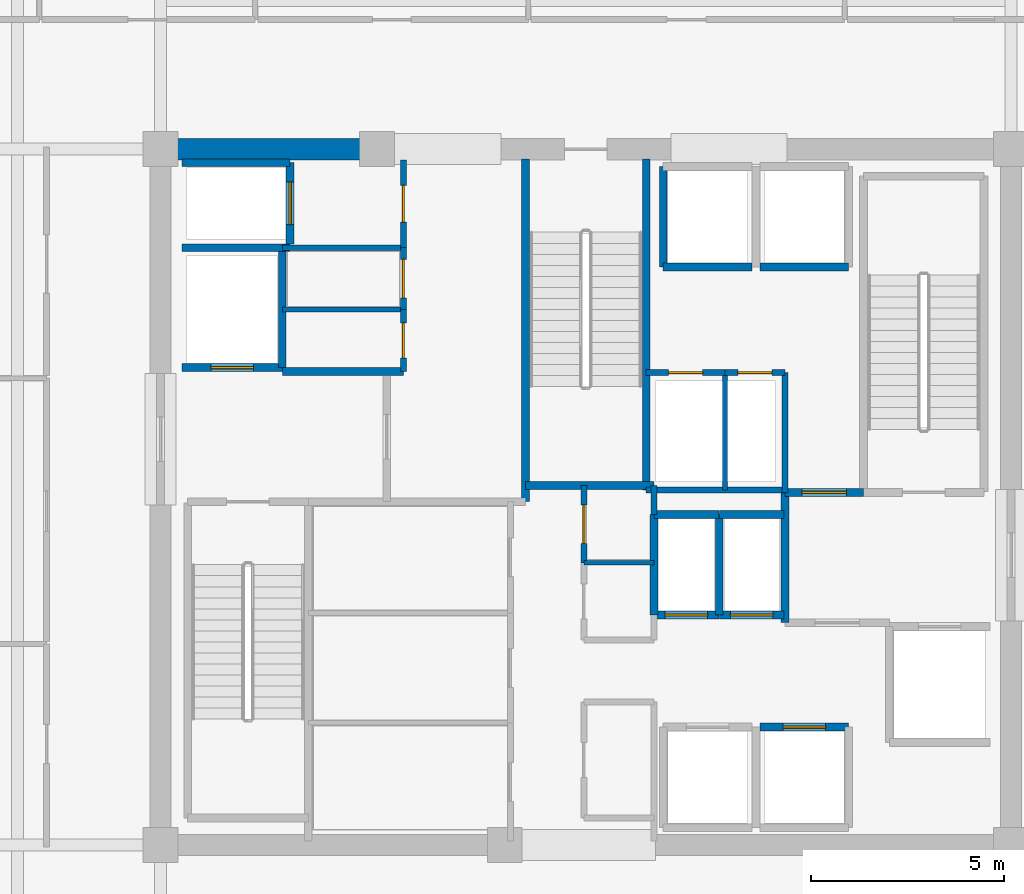
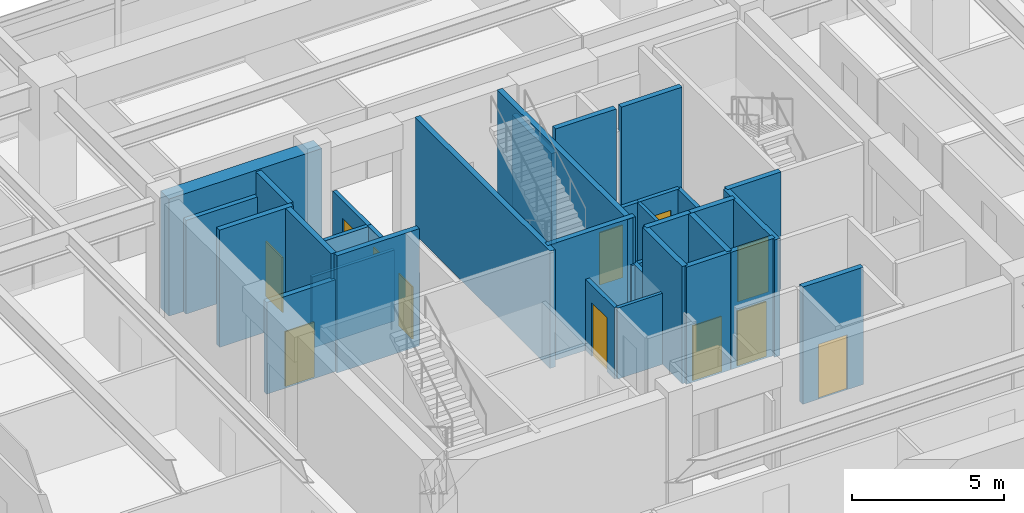
# One storey, part 13 of 19: 35 walls, 12 doors, 12 openings.
"""IFC4 building model written with IfcOpenShell, lengths in metres."""

from ifc_helpers import new_model, si_unit, direction, frame, frame_2d, origin, place, context, subcontext, project, spatial, rectangle, extrude, material, layer, layer_set, type_object, element, fill, save


model = new_model("IFC4")

# Units and contexts
model_context = context("Model", 3, precision=1e-05, world=origin(), true_north=direction((0.0, 1.0)))
body_context = subcontext(model_context, "Body", "Model", "MODEL_VIEW")
ifc_project = project(units=[si_unit("LENGTHUNIT", "METRE"), si_unit("AREAUNIT", "SQUARE_METRE"), si_unit("VOLUMEUNIT", "CUBIC_METRE"), si_unit("PLANEANGLEUNIT", "RADIAN"), si_unit("MASSUNIT", "GRAM", prefix="KILO")], contexts=[model_context])

# Site, building, storey
site_placement = place(None, origin())
site = spatial("IfcSite", under=ifc_project, at=site_placement, CompositionType="ELEMENT")
building_placement = place(site_placement, origin())
building = spatial("IfcBuilding", under=site, at=building_placement, Name="Kovane Verandah Tower", CompositionType="ELEMENT")
storey_placement = place(building_placement, frame((0.0, 0.0, 184.39990234375)))
storey = spatial("IfcBuildingStorey", under=building, at=storey_placement, Name="L43", CompositionType="ELEMENT", Elevation=184.39990234375)

# Wall
ifc_material_1 = material(Name="Fire-Rated Gypsum Stud Partition", Category="gypsum")
ifc_layer_1 = layer(ifc_material_1, 0.14990234375)
ifc_layer_set_1 = layer_set([ifc_layer_1], Name="Fire-Rated Gypsum Stud Partition")
wall_type_1 = type_object("IfcWallType", Name="WL-COR-150", PredefinedType="PARTITIONING", material=ifc_layer_set_1)
wall_1_placement = place(storey_placement, frame((41.760009765625, 27.050048828125, 0.0), z_axis=(0.0, 0.0, 1.0), x_axis=(0.0, 1.0, 0.0)))
element("IfcWall", 1, at=wall_1_placement, inside=storey, type_object=wall_type_1, Name="L43 Central Core Strip Upper East Wall", PredefinedType="PARTITIONING", context=body_context, shape_type="SweptSolid", body=[
    extrude(rectangle(XDim=0.75, YDim=0.14990234375, at=frame_2d((0.375, 0.0))), origin(), (0.0, 0.0, 1.0), 2.85009765625),
])

# Wall, opening, door
wall_2_placement = place(storey_placement, frame((39.949951171875, 25.800048828125, 0.0), z_axis=(0.0, 0.0, 1.0), x_axis=(0.0, 1.0, 0.0)))
wall_2 = element("IfcWall", 2, at=wall_2_placement, inside=storey, type_object=wall_type_1, Name="L43 Central First Aid and Wellness Room Partition", PredefinedType="PARTITIONING", context=body_context, shape_type="SweptSolid", body=[
    extrude(rectangle(XDim=2.0, YDim=0.14990234375, at=frame_2d((1.0, 0.0))), origin(), (0.0, 0.0, 1.0), 2.85009765625),
])
opening_1_placement = place(wall_2_placement, frame((0.5, 0.0, 0.0)))
opening_1 = element("IfcOpeningElement", 3, at=opening_1_placement, cuts=wall_2, Name="Opening DR-L43-033", PredefinedType="OPENING", context=body_context, shape_type="SweptSolid", body=[
    extrude(rectangle(XDim=1.0, YDim=2.14990234375, at=frame_2d((0.5, 1.074951171875))), frame((0.0, 0.074951171875, 0.0), z_axis=(0.0, -1.0, 0.0), x_axis=(1.0, 0.0, 0.0)), (0.0, 0.0, 1.0), 0.14990234375),
])
ifc_material_2 = material(Name="FSC Spotted-Gum Timber Fire-Rated Office Door", Category="wood")
door_type_1 = type_object("IfcDoorType", Name="DR-OFF-1000", OperationType="SINGLE_SWING_LEFT", PredefinedType="DOOR", material=ifc_material_2)
door_1_placement = place(opening_1_placement, origin())
door_1 = element("IfcDoor", 4, at=door_1_placement, inside=storey, type_object=door_type_1, Name="L43 Central First Aid and Wellness Room Door", OperationType="SINGLE_SWING_RIGHT", OverallHeight=2.14990234375, OverallWidth=1.0, PredefinedType="DOOR", context=body_context, shape_type="SweptSolid", body=[
    extrude(rectangle(XDim=1.0, YDim=2.14990234375, at=frame_2d((0.5, 1.074951171875))), frame((0.0, 0.02490234375, 0.0), z_axis=(0.0, -1.0, 0.0), x_axis=(1.0, 0.0, 0.0)), (0.0, 0.0, 1.0), 0.050048828125),
])
fill(opening_1, door_1)

# Wall
wall_3_placement = place(storey_placement, frame((32.14990234375, 33.949951171875, 0.0), z_axis=(0.0, 0.0, 1.0), x_axis=(1.0, 0.0, 0.0)))
element("IfcWall", 5, at=wall_3_placement, inside=storey, type_object=wall_type_1, Name="L43 Goods Lift Lobby South Wall", PredefinedType="PARTITIONING", context=body_context, shape_type="SweptSolid", body=[
    extrude(rectangle(XDim=3.130126953125, YDim=0.14990234375, at=frame_2d((1.56494140625, 0.0))), origin(), (0.0, 0.0, 1.0), 2.85009765625),
])

# Wall, opening, door
wall_4_placement = place(storey_placement, frame((35.280029296875, 33.949951171875, 0.0), z_axis=(0.0, 0.0, 1.0), x_axis=(0.0, 1.0, 0.0)))
wall_4 = element("IfcWall", 6, at=wall_4_placement, inside=storey, type_object=wall_type_1, Name="L43 Goods Lift Lobby East Fire Partition", PredefinedType="PARTITIONING", context=body_context, shape_type="SweptSolid", body=[
    extrude(rectangle(XDim=2.27001953125, YDim=0.14990234375, at=frame_2d((1.135009765625, 0.0))), origin(), (0.0, 0.0, 1.0), 2.85009765625),
])
opening_2_placement = place(wall_4_placement, frame((0.659912109375, 0.0, 0.0)))
opening_2 = element("IfcOpeningElement", 7, at=opening_2_placement, cuts=wall_4, Name="Opening DR-L43-008", PredefinedType="OPENING", context=body_context, shape_type="SweptSolid", body=[
    extrude(rectangle(XDim=0.949951171875, YDim=2.14990234375, at=frame_2d((0.47509765625, 1.074951171875))), frame((0.0, 0.074951171875, 0.0), z_axis=(0.0, -1.0, 0.0), x_axis=(1.0, 0.0, 0.0)), (0.0, 0.0, 1.0), 0.14990234375),
])
ifc_material_3 = material(Name="Fire-Rated Steel Refuge and Lobby Door", Category="steel")
door_type_2 = type_object("IfcDoorType", Name="DR-FIRE-950", OperationType="SINGLE_SWING_LEFT", PredefinedType="DOOR", material=ifc_material_3)
door_2_placement = place(opening_2_placement, origin())
door_2 = element("IfcDoor", 8, at=door_2_placement, inside=storey, type_object=door_type_2, Name="L43 Goods Lift Lobby Fire Door", OperationType="SINGLE_SWING_LEFT", OverallHeight=2.14990234375, OverallWidth=0.949951171875, PredefinedType="DOOR", context=body_context, shape_type="SweptSolid", body=[
    extrude(rectangle(XDim=0.949951171875, YDim=2.14990234375, at=frame_2d((0.47509765625, 1.074951171875))), frame((0.0, 0.02490234375, 0.0), z_axis=(0.0, -1.0, 0.0), x_axis=(1.0, 0.0, 0.0)), (0.0, 0.0, 1.0), 0.050048828125),
])
fill(opening_2, door_2)

wall_5_placement = place(storey_placement, frame((35.280029296875, 30.75, 0.0), z_axis=(0.0, 0.0, 1.0), x_axis=(0.0, 1.0, 0.0)))
wall_5 = element("IfcWall", 9, at=wall_5_placement, inside=storey, type_object=wall_type_1, Name="L43 Accessible Unisex Toilet Partition", PredefinedType="PARTITIONING", context=body_context, shape_type="SweptSolid", body=[
    extrude(rectangle(XDim=1.60009765625, YDim=0.14990234375, at=frame_2d((0.800048828125, 0.0))), origin(), (0.0, 0.0, 1.0), 2.85009765625),
])
opening_3_placement = place(wall_5_placement, frame((0.35009765625, 0.0, 0.0)))
opening_3 = element("IfcOpeningElement", 10, at=opening_3_placement, cuts=wall_5, Name="Opening DR-L43-034", PredefinedType="OPENING", context=body_context, shape_type="SweptSolid", body=[
    extrude(rectangle(XDim=0.89990234375, YDim=2.10009765625, at=frame_2d((0.449951171875, 1.050048828125))), frame((0.0, 0.074951171875, 0.0), z_axis=(0.0, -1.0, 0.0), x_axis=(1.0, 0.0, 0.0)), (0.0, 0.0, 1.0), 0.14990234375),
])
ifc_material_4 = material(Name="Moisture-Resistant Laminate Washroom Door", Category="wood")
door_type_3 = type_object("IfcDoorType", Name="DR-WC-900", OperationType="SINGLE_SWING_LEFT", PredefinedType="DOOR", material=ifc_material_4)
door_3_placement = place(opening_3_placement, origin())
door_3 = element("IfcDoor", 11, at=door_3_placement, inside=storey, type_object=door_type_3, Name="L43 Accessible Unisex Toilet Door", OperationType="SINGLE_SWING_RIGHT", OverallHeight=2.10009765625, OverallWidth=0.89990234375, PredefinedType="DOOR", context=body_context, shape_type="SweptSolid", body=[
    extrude(rectangle(XDim=0.89990234375, YDim=2.10009765625, at=frame_2d((0.449951171875, 1.050048828125))), frame((0.0, 0.02490234375, 0.0), z_axis=(0.0, -1.0, 0.0), x_axis=(1.0, 0.0, 0.0)), (0.0, 0.0, 1.0), 0.050048828125),
])
fill(opening_3, door_3)

wall_6_placement = place(storey_placement, frame((35.280029296875, 32.35009765625, 0.0), z_axis=(0.0, 0.0, 1.0), x_axis=(0.0, 1.0, 0.0)))
wall_6 = element("IfcWall", 12, at=wall_6_placement, inside=storey, type_object=wall_type_1, Name="L43 North-West First Aid Room Partition", PredefinedType="PARTITIONING", context=body_context, shape_type="SweptSolid", body=[
    extrude(rectangle(XDim=1.599853515625, YDim=0.14990234375, at=frame_2d((0.7998046875, 0.0))), origin(), (0.0, 0.0, 1.0), 2.85009765625),
])
opening_4_placement = place(wall_6_placement, frame((0.300048828125, 0.0, 0.0)))
opening_4 = element("IfcOpeningElement", 13, at=opening_4_placement, cuts=wall_6, Name="Opening DR-L43-012", PredefinedType="OPENING", context=body_context, shape_type="SweptSolid", body=[
    extrude(rectangle(XDim=1.0, YDim=2.14990234375, at=frame_2d((0.5, 1.074951171875))), frame((0.0, 0.074951171875, 0.0), z_axis=(0.0, -1.0, 0.0), x_axis=(1.0, 0.0, 0.0)), (0.0, 0.0, 1.0), 0.14990234375),
])
door_4_placement = place(opening_4_placement, origin())
door_4 = element("IfcDoor", 14, at=door_4_placement, inside=storey, type_object=door_type_1, Name="L43 North-West First Aid Room Door", OperationType="SINGLE_SWING_LEFT", OverallHeight=2.14990234375, OverallWidth=1.0, PredefinedType="DOOR", context=body_context, shape_type="SweptSolid", body=[
    extrude(rectangle(XDim=1.0, YDim=2.14990234375, at=frame_2d((0.5, 1.074951171875))), frame((0.0, 0.02490234375, 0.0), z_axis=(0.0, -1.0, 0.0), x_axis=(1.0, 0.0, 0.0)), (0.0, 0.0, 1.0), 0.050048828125),
])
fill(opening_4, door_4)

# Walls
wall_7_placement = place(storey_placement, frame((41.56005859375, 27.679931640625, 0.0), z_axis=(0.0, 0.0, 1.0), x_axis=(1.0, 0.0, 0.0)))
element("IfcWall", 15, at=wall_7_placement, inside=storey, type_object=wall_type_1, Name="L43 East Core Service Riser South Wall", PredefinedType="PARTITIONING", context=body_context, shape_type="SweptSolid", body=[
    extrude(rectangle(XDim=3.58984375, YDim=0.14990234375, at=frame_2d((1.794921875, 0.0))), origin(), (0.0, 0.0, 1.0), 2.85009765625),
])
wall_8_placement = place(storey_placement, frame((45.14990234375, 27.6201171875, 0.0), z_axis=(0.0, 0.0, 1.0), x_axis=(0.0, 1.0, 0.0)))
element("IfcWall", 16, at=wall_8_placement, inside=storey, type_object=wall_type_1, Name="L43 East Core Service Riser East Wall", PredefinedType="PARTITIONING", context=body_context, shape_type="SweptSolid", body=[
    extrude(rectangle(XDim=3.099853515625, YDim=0.14990234375, at=frame_2d((1.5498046875, 0.0))), origin(), (0.0, 0.0, 1.0), 2.85009765625),
])

# Wall, opening, door
wall_9_placement = place(storey_placement, frame((41.56005859375, 30.719970703125, 0.0), z_axis=(0.0, 0.0, 1.0), x_axis=(1.0, 0.0, 0.0)))
wall_9 = element("IfcWall", 17, at=wall_9_placement, inside=storey, type_object=wall_type_1, Name="L43 Electrical Sub-Main Riser Room Partition", PredefinedType="PARTITIONING", context=body_context, shape_type="SweptSolid", body=[
    extrude(rectangle(XDim=2.0400390625, YDim=0.14990234375, at=frame_2d((1.02001953125, 0.0))), origin(), (0.0, 0.0, 1.0), 2.85009765625),
])
opening_5_placement = place(wall_9_placement, frame((0.580078125, 0.0, 0.0)))
opening_5 = element("IfcOpeningElement", 18, at=opening_5_placement, cuts=wall_9, Name="Opening DR-L43-020", PredefinedType="OPENING", context=body_context, shape_type="SweptSolid", body=[
    extrude(rectangle(XDim=0.8798828125, YDim=2.10009765625, at=frame_2d((0.43994140625, 1.050048828125))), frame((0.0, 0.074951171875, 0.0), z_axis=(0.0, -1.0, 0.0), x_axis=(1.0, 0.0, 0.0)), (0.0, 0.0, 1.0), 0.14990234375),
])
ifc_material_5 = material(Name="Fire-Rated Steel Riser Access Door", Category="steel")
door_type_4 = type_object("IfcDoorType", Name="DR-RISER-880", OperationType="SINGLE_SWING_LEFT", PredefinedType="DOOR", material=ifc_material_5)
door_5_placement = place(opening_5_placement, origin())
door_5 = element("IfcDoor", 19, at=door_5_placement, inside=storey, type_object=door_type_4, Name="L43 Electrical Sub-Main Riser Room Door", OperationType="SINGLE_SWING_LEFT", OverallHeight=2.10009765625, OverallWidth=0.8798828125, PredefinedType="DOOR", context=body_context, shape_type="SweptSolid", body=[
    extrude(rectangle(XDim=0.8798828125, YDim=2.10009765625, at=frame_2d((0.43994140625, 1.050048828125))), frame((0.0, 0.02490234375, 0.0), z_axis=(0.0, -1.0, 0.0), x_axis=(1.0, 0.0, 0.0)), (0.0, 0.0, 1.0), 0.050048828125),
])
fill(opening_5, door_5)

wall_10_placement = place(storey_placement, frame((43.60009765625, 30.719970703125, 0.0), z_axis=(0.0, 0.0, 1.0), x_axis=(1.0, 0.0, 0.0)))
wall_10 = element("IfcWall", 20, at=wall_10_placement, inside=storey, type_object=wall_type_1, Name="L43 Sprinkler Wet Riser Room Partition", PredefinedType="PARTITIONING", context=body_context, shape_type="SweptSolid", body=[
    extrude(rectangle(XDim=1.5498046875, YDim=0.14990234375, at=frame_2d((0.77490234375, 0.0))), origin(), (0.0, 0.0, 1.0), 2.85009765625),
])
opening_6_placement = place(wall_10_placement, frame((0.3349609375, 0.0, 0.0)))
opening_6 = element("IfcOpeningElement", 21, at=opening_6_placement, cuts=wall_10, Name="Opening DR-L43-021", PredefinedType="OPENING", context=body_context, shape_type="SweptSolid", body=[
    extrude(rectangle(XDim=0.8798828125, YDim=2.10009765625, at=frame_2d((0.43994140625, 1.050048828125))), frame((0.0, 0.074951171875, 0.0), z_axis=(0.0, -1.0, 0.0), x_axis=(1.0, 0.0, 0.0)), (0.0, 0.0, 1.0), 0.14990234375),
])
door_6_placement = place(opening_6_placement, origin())
door_6 = element("IfcDoor", 22, at=door_6_placement, inside=storey, type_object=door_type_4, Name="L43 Sprinkler Wet Riser Room Door", OperationType="SINGLE_SWING_RIGHT", OverallHeight=2.10009765625, OverallWidth=0.8798828125, PredefinedType="DOOR", context=body_context, shape_type="SweptSolid", body=[
    extrude(rectangle(XDim=0.8798828125, YDim=2.10009765625, at=frame_2d((0.43994140625, 1.050048828125))), frame((0.0, 0.02490234375, 0.0), z_axis=(0.0, -1.0, 0.0), x_axis=(1.0, 0.0, 0.0)), (0.0, 0.0, 1.0), 0.050048828125),
])
fill(opening_6, door_6)

# Walls
ifc_material_6 = material(Name="Concrete C60/75", Category="concrete")
ifc_layer_2 = layer(ifc_material_6, 0.550048828125)
ifc_layer_set_2 = layer_set([ifc_layer_2], Name="Concrete C60/75")
wall_type_2 = type_object("IfcWallType", Name="WL-CORE-550", PredefinedType="SHEAR", material=ifc_layer_set_2)
wall_11_placement = place(storey_placement, frame((29.0, 36.5, 0.0), z_axis=(0.0, 0.0, 1.0), x_axis=(1.0, 0.0, 0.0)))
element("IfcWall", 23, at=wall_11_placement, inside=storey, type_object=wall_type_2, Name="L43 Core Shear Wall CN-1", PredefinedType="SHEAR", context=body_context, shape_type="SweptSolid", body=[
    extrude(rectangle(XDim=5.800048828125, YDim=0.550048828125, at=frame_2d((2.89990234375, 0.0))), origin(), (0.0, 0.0, 1.0), 4.7001953125),
])
ifc_material_7 = material(Name="Concrete C45/55 Fire Wall", Category="concrete")
ifc_layer_3 = layer(ifc_material_7, 0.199951171875)
ifc_layer_set_3 = layer_set([ifc_layer_3], Name="Concrete C45/55 Fire Wall")
wall_type_3 = type_object("IfcWallType", Name="WL-FFL-200", PredefinedType="PARTITIONING", material=ifc_layer_set_3)
wall_12_placement = place(storey_placement, frame((32.14990234375, 30.75, 0.0), z_axis=(0.0, 0.0, 1.0), x_axis=(1.0, 0.0, 0.0)))
element("IfcWall", 24, at=wall_12_placement, inside=storey, type_object=wall_type_3, Name="L43 West Firefighting Lobby North Fire Wall", PredefinedType="PARTITIONING", context=body_context, shape_type="SweptSolid", body=[
    extrude(rectangle(XDim=3.130126953125, YDim=0.199951171875, at=frame_2d((1.56494140625, 0.0))), origin(), (0.0, 0.0, 1.0), 4.7001953125),
])
wall_13_placement = place(storey_placement, frame((45.14990234375, 24.25, 0.0), z_axis=(0.0, 0.0, 1.0), x_axis=(0.0, 1.0, 0.0)))
element("IfcWall", 25, at=wall_13_placement, inside=storey, type_object=wall_type_3, Name="L43 East Firefighting Lobby West Fire Wall", PredefinedType="PARTITIONING", context=body_context, shape_type="SweptSolid", body=[
    extrude(rectangle(XDim=3.3701171875, YDim=0.199951171875, at=frame_2d((1.68505859375, 0.0))), origin(), (0.0, 0.0, 1.0), 4.7001953125),
])

# Wall, opening, door
wall_14_placement = place(storey_placement, frame((45.14990234375, 27.6201171875, 0.0), z_axis=(0.0, 0.0, 1.0), x_axis=(1.0, 0.0, 0.0)))
wall_14 = element("IfcWall", 26, at=wall_14_placement, inside=storey, type_object=wall_type_3, Name="W-L43-FFLE-N", PredefinedType="PARTITIONING", context=body_context, shape_type="SweptSolid", body=[
    extrude(rectangle(XDim=2.030029296875, YDim=0.199951171875, at=frame_2d((1.01513671875, 0.0))), origin(), (0.0, 0.0, 1.0), 4.7001953125),
])
opening_7_placement = place(wall_14_placement, frame((0.43994140625, 0.0, 0.0)))
opening_7 = element("IfcOpeningElement", 27, at=opening_7_placement, cuts=wall_14, Name="Opening DR-L43-004", PredefinedType="OPENING", context=body_context, shape_type="SweptSolid", body=[
    extrude(rectangle(XDim=1.14990234375, YDim=2.199951171875, at=frame_2d((0.574951171875, 1.10009765625))), frame((0.0, 0.10009765625, 0.0), z_axis=(0.0, -1.0, 0.0), x_axis=(1.0, 0.0, 0.0)), (0.0, 0.0, 1.0), 0.199951171875),
])
ifc_material_8 = material(Name="Smoke-Sealed Firefighting Lobby Door", Category="steel")
door_type_5 = type_object("IfcDoorType", Name="DR-FFL-1150", OperationType="SINGLE_SWING_LEFT", PredefinedType="DOOR", material=ifc_material_8)
door_7_placement = place(opening_7_placement, origin())
door_7 = element("IfcDoor", 28, at=door_7_placement, inside=storey, type_object=door_type_5, Name="L43 East Firefighting Lobby Shuttle Link Door", OperationType="SINGLE_SWING_LEFT", OverallHeight=2.199951171875, OverallWidth=1.14990234375, PredefinedType="DOOR", context=body_context, shape_type="SweptSolid", body=[
    extrude(rectangle(XDim=1.14990234375, YDim=2.199951171875, at=frame_2d((0.574951171875, 1.10009765625))), frame((0.0, 0.02490234375, 0.0), z_axis=(0.0, -1.0, 0.0), x_axis=(1.0, 0.0, 0.0)), (0.0, 0.0, 1.0), 0.050048828125),
])
fill(opening_7, door_7)

ifc_material_9 = material(Name="Concrete C45/55 Lift Shaft Wall", Category="concrete")
ifc_layer_4 = layer(ifc_material_9, 0.199951171875)
ifc_layer_set_4 = layer_set([ifc_layer_4], Name="Concrete C45/55 Lift Shaft Wall")
wall_type_4 = type_object("IfcWallType", Name="WL-LIFT-200", PredefinedType="SOLIDWALL", material=ifc_layer_set_4)
wall_15_placement = place(storey_placement, frame((29.550048828125, 30.85009765625, 0.0), z_axis=(0.0, 0.0, 1.0), x_axis=(1.0, 0.0, 0.0)))
wall_15 = element("IfcWall", 29, at=wall_15_placement, inside=storey, type_object=wall_type_4, Name="L43 Lift FL-01 S Shaft Wall", PredefinedType="SOLIDWALL", context=body_context, shape_type="SweptSolid", body=[
    extrude(rectangle(XDim=2.599853515625, YDim=0.199951171875, at=frame_2d((1.2998046875, 0.0))), origin(), (0.0, 0.0, 1.0), 3.68017578125),
])
opening_8_placement = place(wall_15_placement, frame((0.75, 0.0, 0.0)))
opening_8 = element("IfcOpeningElement", 30, at=opening_8_placement, cuts=wall_15, Name="Opening LD-L43-001", PredefinedType="OPENING", context=body_context, shape_type="SweptSolid", body=[
    extrude(rectangle(XDim=1.10009765625, YDim=2.199951171875, at=frame_2d((0.550048828125, 1.10009765625))), frame((0.0, 0.10009765625, 0.0), z_axis=(0.0, -1.0, 0.0), x_axis=(1.0, 0.0, 0.0)), (0.0, 0.0, 1.0), 0.199951171875),
])
ifc_material_10 = material(Name="Brushed Stainless Steel Sliding Lift Landing Door", Category="steel")
door_type_6 = type_object("IfcDoorType", Name="DR-LIFT-1100", OperationType="SLIDING_TO_RIGHT", PredefinedType="DOOR", material=ifc_material_10)
door_8_placement = place(opening_8_placement, origin())
door_8 = element("IfcDoor", 31, at=door_8_placement, inside=storey, type_object=door_type_6, Name="L43 Lift FL-01 Sliding Landing Door", OperationType="SLIDING_TO_RIGHT", OverallHeight=2.199951171875, OverallWidth=1.10009765625, PredefinedType="DOOR", context=body_context, shape_type="SweptSolid", body=[
    extrude(rectangle(XDim=1.10009765625, YDim=2.199951171875, at=frame_2d((0.550048828125, 1.10009765625))), frame((0.0, 0.02490234375, 0.0), z_axis=(0.0, -1.0, 0.0), x_axis=(1.0, 0.0, 0.0)), (0.0, 0.0, 1.0), 0.050048828125),
])
fill(opening_8, door_8)

# Walls
wall_16_placement = place(storey_placement, frame((29.550048828125, 33.949951171875, 0.0), z_axis=(0.0, 0.0, 1.0), x_axis=(1.0, 0.0, 0.0)))
element("IfcWall", 32, at=wall_16_placement, inside=storey, type_object=wall_type_4, Name="L43 Lift FL-01 and GL-01 Shared Shaft Wall", PredefinedType="SOLIDWALL", context=body_context, shape_type="SweptSolid", body=[
    extrude(rectangle(XDim=2.800048828125, YDim=0.199951171875, at=frame_2d((1.39990234375, 0.0))), origin(), (0.0, 0.0, 1.0), 4.7001953125),
])
wall_17_placement = place(storey_placement, frame((32.14990234375, 30.85009765625, 0.0), z_axis=(0.0, 0.0, 1.0), x_axis=(0.0, 1.0, 0.0)))
element("IfcWall", 33, at=wall_17_placement, inside=storey, type_object=wall_type_4, Name="L43 Lift FL-01 E Shaft Wall", PredefinedType="SOLIDWALL", context=body_context, shape_type="SweptSolid", body=[
    extrude(rectangle(XDim=3.0, YDim=0.199951171875, at=frame_2d((1.5, 0.0))), origin(), (0.0, 0.0, 1.0), 4.7001953125),
])
wall_18_placement = place(storey_placement, frame((32.35009765625, 36.14990234375, 0.0), z_axis=(0.0, 0.0, 1.0), x_axis=(-1.0, 0.0, 0.0)))
element("IfcWall", 34, at=wall_18_placement, inside=storey, type_object=wall_type_4, Name="L43 Lift GL-01 N Shaft Wall", PredefinedType="SOLIDWALL", context=body_context, shape_type="SweptSolid", body=[
    extrude(rectangle(XDim=2.800048828125, YDim=0.199951171875, at=frame_2d((1.39990234375, 0.0))), origin(), (0.0, 0.0, 1.0), 3.75341796875),
])

# Wall, opening, door
wall_19_placement = place(storey_placement, frame((32.35009765625, 34.050048828125, 0.0), z_axis=(0.0, 0.0, 1.0), x_axis=(0.0, 1.0, 0.0)))
wall_19 = element("IfcWall", 35, at=wall_19_placement, inside=storey, type_object=wall_type_4, Name="L43 Lift GL-01 E Shaft Wall", PredefinedType="SOLIDWALL", context=body_context, shape_type="SweptSolid", body=[
    extrude(rectangle(XDim=2.099853515625, YDim=0.199951171875, at=frame_2d((1.0498046875, 0.0))), origin(), (0.0, 0.0, 1.0), 4.7001953125),
])
opening_9_placement = place(wall_19_placement, frame((0.5, 0.0, 0.0)))
opening_9 = element("IfcOpeningElement", 36, at=opening_9_placement, cuts=wall_19, Name="Opening LD-L43-003", PredefinedType="OPENING", context=body_context, shape_type="SweptSolid", body=[
    extrude(rectangle(XDim=1.10009765625, YDim=2.199951171875, at=frame_2d((0.550048828125, 1.10009765625))), frame((0.0, 0.10009765625, 0.0), z_axis=(0.0, -1.0, 0.0), x_axis=(1.0, 0.0, 0.0)), (0.0, 0.0, 1.0), 0.199951171875),
])
door_9_placement = place(opening_9_placement, origin())
door_9 = element("IfcDoor", 37, at=door_9_placement, inside=storey, type_object=door_type_6, Name="L43 Lift GL-01 Sliding Landing Door", OperationType="SLIDING_TO_RIGHT", OverallHeight=2.199951171875, OverallWidth=1.10009765625, PredefinedType="DOOR", context=body_context, shape_type="SweptSolid", body=[
    extrude(rectangle(XDim=1.10009765625, YDim=2.199951171875, at=frame_2d((0.550048828125, 1.10009765625))), frame((0.0, 0.02490234375, 0.0), z_axis=(0.0, -1.0, 0.0), x_axis=(1.0, 0.0, 0.0)), (0.0, 0.0, 1.0), 0.050048828125),
])
fill(opening_9, door_9)

wall_20_placement = place(storey_placement, frame((46.800048828125, 21.550048828125, 0.0), z_axis=(0.0, 0.0, 1.0), x_axis=(-1.0, 0.0, 0.0)))
wall_20 = element("IfcWall", 38, at=wall_20_placement, inside=storey, type_object=wall_type_4, Name="L43 Lift PL-M2 N Shaft Wall", PredefinedType="SOLIDWALL", context=body_context, shape_type="SweptSolid", body=[
    extrude(rectangle(XDim=2.300048828125, YDim=0.199951171875, at=frame_2d((1.14990234375, 0.0))), origin(), (0.0, 0.0, 1.0), 4.7001953125),
])
opening_10_placement = place(wall_20_placement, frame((0.60009765625, 0.0, 0.0)))
opening_10 = element("IfcOpeningElement", 39, at=opening_10_placement, cuts=wall_20, Name="Opening LD-L43-005", PredefinedType="OPENING", context=body_context, shape_type="SweptSolid", body=[
    extrude(rectangle(XDim=1.10009765625, YDim=2.199951171875, at=frame_2d((0.550048828125, 1.10009765625))), frame((0.0, 0.10009765625, 0.0), z_axis=(0.0, -1.0, 0.0), x_axis=(1.0, 0.0, 0.0)), (0.0, 0.0, 1.0), 0.199951171875),
])
door_10_placement = place(opening_10_placement, origin())
door_10 = element("IfcDoor", 40, at=door_10_placement, inside=storey, type_object=door_type_6, Name="L43 Lift PL-M2 Sliding Landing Door", OperationType="SLIDING_TO_RIGHT", OverallHeight=2.199951171875, OverallWidth=1.10009765625, PredefinedType="DOOR", context=body_context, shape_type="SweptSolid", body=[
    extrude(rectangle(XDim=1.10009765625, YDim=2.199951171875, at=frame_2d((0.550048828125, 1.10009765625))), frame((0.0, 0.02490234375, 0.0), z_axis=(0.0, -1.0, 0.0), x_axis=(1.0, 0.0, 0.0)), (0.0, 0.0, 1.0), 0.050048828125),
])
fill(opening_10, door_10)

wall_21_placement = place(storey_placement, frame((41.760009765625, 24.449951171875, 0.0), z_axis=(0.0, 0.0, 1.0), x_axis=(1.0, 0.0, 0.0)))
wall_21 = element("IfcWall", 41, at=wall_21_placement, inside=storey, type_object=wall_type_4, Name="L43 Lift PL-M3 S Shaft Wall", PredefinedType="SOLIDWALL", context=body_context, shape_type="SweptSolid", body=[
    extrude(rectangle(XDim=1.679931640625, YDim=0.199951171875, at=frame_2d((0.83984375, 0.0))), origin(), (0.0, 0.0, 1.0), 4.7001953125),
])
opening_11_placement = place(wall_21_placement, frame((0.2900390625, 0.0, 0.0)))
opening_11 = element("IfcOpeningElement", 42, at=opening_11_placement, cuts=wall_21, Name="Opening LD-L43-006", PredefinedType="OPENING", context=body_context, shape_type="SweptSolid", body=[
    extrude(rectangle(XDim=1.10009765625, YDim=2.199951171875, at=frame_2d((0.550048828125, 1.10009765625))), frame((0.0, 0.10009765625, 0.0), z_axis=(0.0, -1.0, 0.0), x_axis=(1.0, 0.0, 0.0)), (0.0, 0.0, 1.0), 0.199951171875),
])
door_11_placement = place(opening_11_placement, origin())
door_11 = element("IfcDoor", 43, at=door_11_placement, inside=storey, type_object=door_type_6, Name="L43 Lift PL-M3 Sliding Landing Door", OperationType="SLIDING_TO_RIGHT", OverallHeight=2.199951171875, OverallWidth=1.10009765625, PredefinedType="DOOR", context=body_context, shape_type="SweptSolid", body=[
    extrude(rectangle(XDim=1.10009765625, YDim=2.199951171875, at=frame_2d((0.550048828125, 1.10009765625))), frame((0.0, 0.02490234375, 0.0), z_axis=(0.0, -1.0, 0.0), x_axis=(1.0, 0.0, 0.0)), (0.0, 0.0, 1.0), 0.050048828125),
])
fill(opening_11, door_11)

# Walls
wall_22_placement = place(storey_placement, frame((43.43994140625, 27.050048828125, 0.0), z_axis=(0.0, 0.0, 1.0), x_axis=(-1.0, 0.0, 0.0)))
element("IfcWall", 44, at=wall_22_placement, inside=storey, type_object=wall_type_4, Name="L43 Lift PL-M3 N Shaft Wall", PredefinedType="SOLIDWALL", context=body_context, shape_type="SweptSolid", body=[
    extrude(rectangle(XDim=1.679931640625, YDim=0.199951171875, at=frame_2d((0.83984375, 0.0))), origin(), (0.0, 0.0, 1.0), 4.7001953125),
])
for number, where, z_axis, x_axis, name in (
    (45, (41.760009765625, 27.050048828125, 0.0), (0.0, 0.0, 1.0), (0.0, -1.0, 0.0), "L43 Lift PL-M3 W Shaft Wall"),
    (46, (43.449951171875, 24.449951171875, 0.0), (0.0, 0.0, 1.0), (0.0, 1.0, 0.0), "L43 Lift PL-M3 and PL-M4 Shared Shaft Wall"),
):
    element("IfcWall", number, at=place(storey_placement, frame(where, z_axis=z_axis, x_axis=x_axis)), inside=storey, type_object=wall_type_4, Name=name, PredefinedType="SOLIDWALL", context=body_context, shape_type="SweptSolid", body=[
        extrude(rectangle(XDim=2.60009765625, YDim=0.199951171875, at=frame_2d((1.300048828125, 0.0))), origin(), (0.0, 0.0, 1.0), 4.7001953125),
    ])

# Wall, opening, door
wall_23_placement = place(storey_placement, frame((43.4599609375, 24.449951171875, 0.0), z_axis=(0.0, 0.0, 1.0), x_axis=(1.0, 0.0, 0.0)))
wall_23 = element("IfcWall", 47, at=wall_23_placement, inside=storey, type_object=wall_type_4, Name="L43 Lift PL-M4 S Shaft Wall", PredefinedType="SOLIDWALL", context=body_context, shape_type="SweptSolid", body=[
    extrude(rectangle(XDim=1.66015625, YDim=0.199951171875, at=frame_2d((0.830078125, 0.0))), origin(), (0.0, 0.0, 1.0), 4.7001953125),
])
opening_12_placement = place(wall_23_placement, frame((0.280029296875, 0.0, 0.0)))
opening_12 = element("IfcOpeningElement", 48, at=opening_12_placement, cuts=wall_23, Name="Opening LD-L43-007", PredefinedType="OPENING", context=body_context, shape_type="SweptSolid", body=[
    extrude(rectangle(XDim=1.10009765625, YDim=2.199951171875, at=frame_2d((0.550048828125, 1.10009765625))), frame((0.0, 0.10009765625, 0.0), z_axis=(0.0, -1.0, 0.0), x_axis=(1.0, 0.0, 0.0)), (0.0, 0.0, 1.0), 0.199951171875),
])
door_12_placement = place(opening_12_placement, origin())
door_12 = element("IfcDoor", 49, at=door_12_placement, inside=storey, type_object=door_type_6, Name="L43 Lift PL-M4 Sliding Landing Door", OperationType="SLIDING_TO_RIGHT", OverallHeight=2.199951171875, OverallWidth=1.10009765625, PredefinedType="DOOR", context=body_context, shape_type="SweptSolid", body=[
    extrude(rectangle(XDim=1.10009765625, YDim=2.199951171875, at=frame_2d((0.550048828125, 1.10009765625))), frame((0.0, 0.02490234375, 0.0), z_axis=(0.0, -1.0, 0.0), x_axis=(1.0, 0.0, 0.0)), (0.0, 0.0, 1.0), 0.050048828125),
])
fill(opening_12, door_12)

# Walls
wall_24_placement = place(storey_placement, frame((45.1201171875, 27.050048828125, 0.0), z_axis=(0.0, 0.0, 1.0), x_axis=(-1.0, 0.0, 0.0)))
element("IfcWall", 50, at=wall_24_placement, inside=storey, type_object=wall_type_4, Name="L43 Lift PL-M4 N Shaft Wall", PredefinedType="SOLIDWALL", context=body_context, shape_type="SweptSolid", body=[
    extrude(rectangle(XDim=1.66015625, YDim=0.199951171875, at=frame_2d((0.830078125, 0.0))), origin(), (0.0, 0.0, 1.0), 4.7001953125),
])
wall_25_placement = place(storey_placement, frame((42.0, 33.449951171875, 0.0), z_axis=(0.0, 0.0, 1.0), x_axis=(1.0, 0.0, 0.0)))
element("IfcWall", 51, at=wall_25_placement, inside=storey, type_object=wall_type_4, Name="L43 Lift SL-01 S Shaft Wall", PredefinedType="SOLIDWALL", context=body_context, shape_type="SweptSolid", body=[
    extrude(rectangle(XDim=2.300048828125, YDim=0.199951171875, at=frame_2d((1.14990234375, 0.0))), origin(), (0.0, 0.0, 1.0), 4.7001953125),
])
wall_26_placement = place(storey_placement, frame((42.0, 36.050048828125, 0.0), z_axis=(0.0, 0.0, 1.0), x_axis=(0.0, -1.0, 0.0)))
element("IfcWall", 52, at=wall_26_placement, inside=storey, type_object=wall_type_4, Name="L43 Lift SL-01 W Shaft Wall", PredefinedType="SOLIDWALL", context=body_context, shape_type="SweptSolid", body=[
    extrude(rectangle(XDim=2.60009765625, YDim=0.199951171875, at=frame_2d((1.300048828125, 0.0))), origin(), (0.0, 0.0, 1.0), 3.68017578125),
])
wall_27_placement = place(storey_placement, frame((44.5, 33.449951171875, 0.0), z_axis=(0.0, 0.0, 1.0), x_axis=(1.0, 0.0, 0.0)))
element("IfcWall", 53, at=wall_27_placement, inside=storey, type_object=wall_type_4, Name="L43 Lift OL-01 S Shaft Wall", PredefinedType="SOLIDWALL", context=body_context, shape_type="SweptSolid", body=[
    extrude(rectangle(XDim=2.300048828125, YDim=0.199951171875, at=frame_2d((1.14990234375, 0.0))), origin(), (0.0, 0.0, 1.0), 4.7001953125),
])
ifc_material_11 = material(Name="Acoustic Fire-Rated Gypsum Partition", Category="gypsum")
ifc_layer_5 = layer(ifc_material_11, 0.1201171875)
ifc_layer_set_5 = layer_set([ifc_layer_5], Name="Acoustic Fire-Rated Gypsum Partition")
wall_type_5 = type_object("IfcWallType", Name="WL-PART-120", PredefinedType="PARTITIONING", material=ifc_layer_set_5)
wall_28_placement = place(storey_placement, frame((39.949951171875, 25.800048828125, 0.0), z_axis=(0.0, 0.0, 1.0), x_axis=(1.0, 0.0, 0.0)))
element("IfcWall", 54, at=wall_28_placement, inside=storey, type_object=wall_type_5, Name="L43 Central Core Strip Upper Dividing Partition", PredefinedType="PARTITIONING", context=body_context, shape_type="SweptSolid", body=[
    extrude(rectangle(XDim=1.81005859375, YDim=0.1201171875, at=frame_2d((0.905029296875, 0.0))), origin(), (0.0, 0.0, 1.0), 2.85009765625),
])
wall_29_placement = place(storey_placement, frame((32.14990234375, 32.35009765625, 0.0), z_axis=(0.0, 0.0, 1.0), x_axis=(1.0, 0.0, 0.0)))
element("IfcWall", 55, at=wall_29_placement, inside=storey, type_object=wall_type_5, Name="L43 Accessible Washroom and Support Dividing Partition", PredefinedType="PARTITIONING", context=body_context, shape_type="SweptSolid", body=[
    extrude(rectangle(XDim=3.130126953125, YDim=0.1201171875, at=frame_2d((1.56494140625, 0.0))), origin(), (0.0, 0.0, 1.0), 2.85009765625),
])
wall_30_placement = place(storey_placement, frame((43.60009765625, 27.679931640625, 0.0), z_axis=(0.0, 0.0, 1.0), x_axis=(0.0, 1.0, 0.0)))
element("IfcWall", 56, at=wall_30_placement, inside=storey, type_object=wall_type_5, Name="L43 Service Riser Dividing Partition", PredefinedType="PARTITIONING", context=body_context, shape_type="SweptSolid", body=[
    extrude(rectangle(XDim=3.0400390625, YDim=0.1201171875, at=frame_2d((1.52001953125, 0.0))), origin(), (0.0, 0.0, 1.0), 2.85009765625),
])
ifc_material_12 = material(Name="Concrete C45/55", Category="concrete")
ifc_layer_6 = layer(ifc_material_12, 0.199951171875)
ifc_layer_set_6 = layer_set([ifc_layer_6], Name="Concrete C45/55")
wall_type_6 = type_object("IfcWallType", Name="WL-SHAFT-200", PredefinedType="SOLIDWALL", material=ifc_layer_set_6)
wall_31_placement = place(storey_placement, frame((38.43994140625, 27.3798828125, 0.0), z_axis=(0.0, 0.0, 1.0), x_axis=(0.0, 1.0, 0.0)))
element("IfcWall", 57, at=wall_31_placement, inside=storey, type_object=wall_type_6, Name="W-L43-ST03-W", PredefinedType="SOLIDWALL", context=body_context, shape_type="SweptSolid", body=[
    extrude(rectangle(XDim=8.8701171875, YDim=0.199951171875, at=frame_2d((4.43505859375, 0.0))), origin(), (0.0, 0.0, 1.0), 4.7001953125),
])
wall_32_placement = place(storey_placement, frame((41.56005859375, 27.679931640625, 0.0), z_axis=(0.0, 0.0, 1.0), x_axis=(0.0, 1.0, 0.0)))
element("IfcWall", 58, at=wall_32_placement, inside=storey, type_object=wall_type_6, Name="W-L43-ST03-E", PredefinedType="SOLIDWALL", context=body_context, shape_type="SweptSolid", body=[
    extrude(rectangle(XDim=8.570068359375, YDim=0.199951171875, at=frame_2d((4.28515625, 0.0))), origin(), (0.0, 0.0, 1.0), 4.7001953125),
])
wall_33_placement = place(storey_placement, frame((38.43994140625, 27.800048828125, 0.0), z_axis=(0.0, 0.0, 1.0), x_axis=(1.0, 0.0, 0.0)))
element("IfcWall", 59, at=wall_33_placement, inside=storey, type_object=wall_type_6, Name="W-L43-ST03-S", PredefinedType="SOLIDWALL", context=body_context, shape_type="SweptSolid", body=[
    extrude(rectangle(XDim=3.320068359375, YDim=0.199951171875, at=frame_2d((1.66015625, 0.0))), origin(), (0.0, 0.0, 1.0), 4.7001953125),
])

save(model, "model.ifc")
